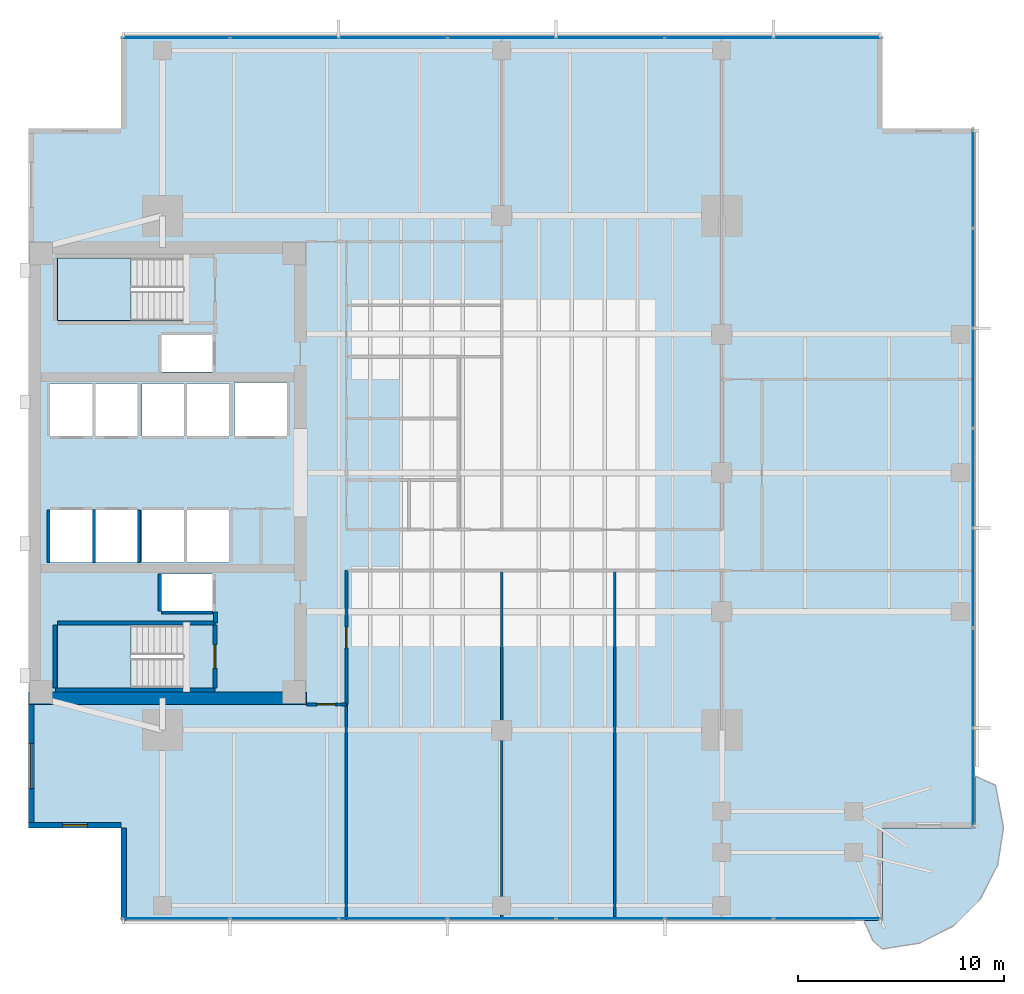
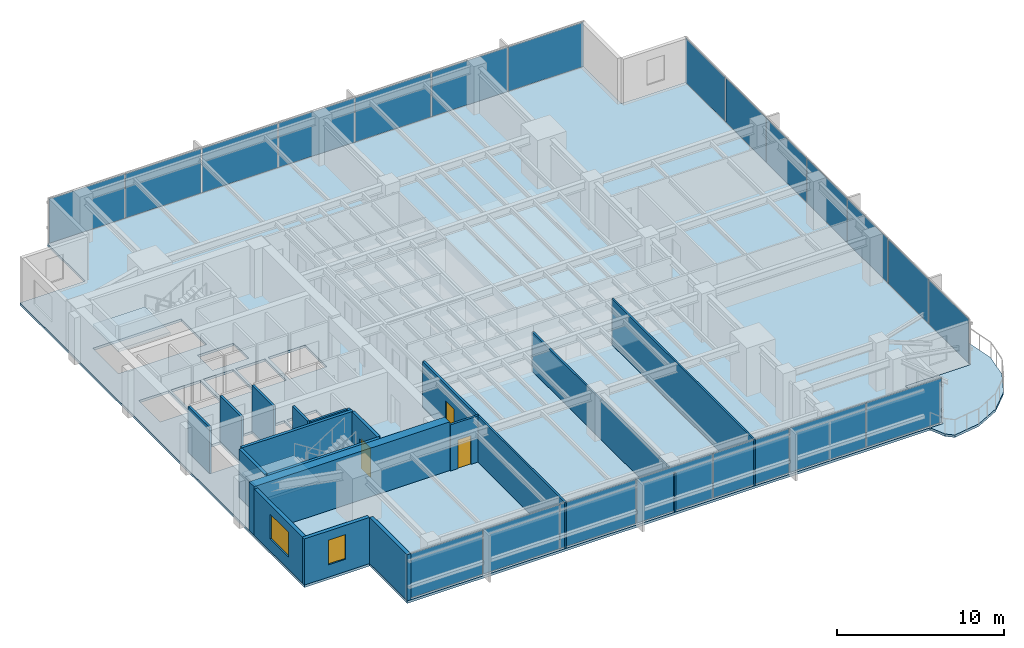
# One storey, part 7 of 15: 21 plates, 19 walls, 4 slabs, 3 doors, 2 windows, 5 openings, 5 elements without a shape of their own.
"""IFC4 building model written with IfcOpenShell, lengths in metres."""

from ifc_helpers import new_model, si_unit, direction, frame, frame_2d, origin, origin_2d, place, context, subcontext, project, spatial, polyline, rectangle, outline, extrude, material, layer, layer_set, type_object, element, fill, aggregate, save


model = new_model("IFC4")

# Units and contexts
model_context = context("Model", 3, precision=1e-05, world=origin(), true_north=direction((0.0, 1.0)))
body_context = subcontext(model_context, "Body", "Model", "MODEL_VIEW")
ifc_project = project(units=[si_unit("LENGTHUNIT", "METRE"), si_unit("AREAUNIT", "SQUARE_METRE"), si_unit("VOLUMEUNIT", "CUBIC_METRE"), si_unit("PLANEANGLEUNIT", "RADIAN"), si_unit("MASSUNIT", "GRAM", prefix="KILO")], contexts=[model_context])

# Site, building, storey
site_placement = place(None, origin())
site = spatial("IfcSite", under=ifc_project, at=site_placement, CompositionType="ELEMENT")
building_placement = place(site_placement, origin())
building = spatial("IfcBuilding", under=site, at=building_placement, Name="Kinhvarn Gate Tower", CompositionType="ELEMENT")
storey_placement = place(building_placement, frame((0.0, 0.0, 112.89990234375)))
storey = spatial("IfcBuildingStorey", under=building, at=storey_placement, Name="L29", CompositionType="ELEMENT", Elevation=112.89990234375)

# Curtain wall, plates
ifc_material_1 = material(Name="Anodised aluminium AW-6063", Category="aluminium")
ifc_layer_1 = layer(ifc_material_1, 0.179931640625)
ifc_layer_set_1 = layer_set([ifc_layer_1], Name="Anodised aluminium AW-6063")
curtain_wall_type = type_object("IfcCurtainWallType", Name="CW-SYS-3", PredefinedType="NOTDEFINED", material=ifc_layer_set_1)
curtain_wall_1_placement = place(storey_placement, origin())
curtain_wall_1 = element("IfcCurtainWall", 1, at=curtain_wall_1_placement, inside=storey, type_object=curtain_wall_type, Name="Curtain Wall CW3 (L29)", PredefinedType="NOTDEFINED")
ifc_material_2 = material(Name="Clear low-e double glazing", Category="glass")
ifc_layer_2 = layer(ifc_material_2, 0.031982421875)
ifc_layer_set_2 = layer_set([ifc_layer_2], Name="Clear low-e double glazing")
plate_type = type_object("IfcPlateType", Name="CW-PNL-VIS", PredefinedType="CURTAIN_PANEL", material=ifc_layer_set_2)
plate_1_placement = place(storey_placement, frame((11.6591796875, 3.590087890625, 0.070068359375), z_axis=(0.0, 0.0, 1.0), x_axis=(1.0, 0.0, 0.0)))
plate_1 = element("IfcPlate", 2, at=plate_1_placement, type_object=plate_type, Name="CW3 panel 1.1", PredefinedType="CURTAIN_PANEL", context=body_context, shape_type="SweptSolid", body=[
    extrude(rectangle(XDim=5.188232421875, YDim=0.031982421875, at=origin_2d()), origin(), (0.0, 0.0, 1.0), 3.22998046875),
])
plate_2_placement = place(storey_placement, frame((16.928466796875, 3.590087890625, 0.070068359375), z_axis=(0.0, 0.0, 1.0), x_axis=(1.0, 0.0, 0.0)))
plate_2 = element("IfcPlate", 3, at=plate_2_placement, type_object=plate_type, Name="CW3 panel 2.1", PredefinedType="CURTAIN_PANEL", context=body_context, shape_type="SweptSolid", body=[
    extrude(rectangle(XDim=5.220703125, YDim=0.031982421875, at=origin_2d()), origin(), (0.0, 0.0, 1.0), 3.22998046875),
])
plate_3_placement = place(storey_placement, frame((22.21435546875, 3.590087890625, 0.070068359375), z_axis=(0.0, 0.0, 1.0), x_axis=(1.0, 0.0, 0.0)))
plate_3 = element("IfcPlate", 4, at=plate_3_placement, type_object=plate_type, Name="CW3 panel 3.1", PredefinedType="CURTAIN_PANEL", context=body_context, shape_type="SweptSolid", body=[
    extrude(rectangle(XDim=5.220703125, YDim=0.031982421875, at=origin_2d()), origin(), (0.0, 0.0, 1.0), 3.22998046875),
])
plate_4_placement = place(storey_placement, frame((27.5, 3.590087890625, 0.070068359375), z_axis=(0.0, 0.0, 1.0), x_axis=(1.0, 0.0, 0.0)))
plate_4 = element("IfcPlate", 5, at=plate_4_placement, type_object=plate_type, Name="CW3 panel 4.1", PredefinedType="CURTAIN_PANEL", context=body_context, shape_type="SweptSolid", body=[
    extrude(rectangle(XDim=5.220703125, YDim=0.031982421875, at=origin_2d()), origin(), (0.0, 0.0, 1.0), 3.22998046875),
])
plate_5_placement = place(storey_placement, frame((32.78564453125, 3.590087890625, 0.070068359375), z_axis=(0.0, 0.0, 1.0), x_axis=(1.0, 0.0, 0.0)))
plate_5 = element("IfcPlate", 6, at=plate_5_placement, type_object=plate_type, Name="CW3 panel 5.1", PredefinedType="CURTAIN_PANEL", context=body_context, shape_type="SweptSolid", body=[
    extrude(rectangle(XDim=5.220703125, YDim=0.031982421875, at=origin_2d()), origin(), (0.0, 0.0, 1.0), 3.22998046875),
])
plate_6_placement = place(storey_placement, frame((38.071533203125, 3.590087890625, 0.070068359375), z_axis=(0.0, 0.0, 1.0), x_axis=(1.0, 0.0, 0.0)))
plate_6 = element("IfcPlate", 7, at=plate_6_placement, type_object=plate_type, Name="CW3 panel 6.1", PredefinedType="CURTAIN_PANEL", context=body_context, shape_type="SweptSolid", body=[
    extrude(rectangle(XDim=5.220703125, YDim=0.031982421875, at=origin_2d()), origin(), (0.0, 0.0, 1.0), 3.22998046875),
])
plate_7_placement = place(storey_placement, frame((43.3408203125, 3.590087890625, 0.070068359375), z_axis=(0.0, 0.0, 1.0), x_axis=(1.0, 0.0, 0.0)))
plate_7 = element("IfcPlate", 8, at=plate_7_placement, type_object=plate_type, Name="CW3 panel 7.1", PredefinedType="CURTAIN_PANEL", context=body_context, shape_type="SweptSolid", body=[
    extrude(rectangle(XDim=5.188232421875, YDim=0.031982421875, at=origin_2d()), origin(), (0.0, 0.0, 1.0), 3.22998046875),
])
aggregate(curtain_wall_1, [plate_1, plate_2, plate_3, plate_4, plate_5, plate_6, plate_7])

curtain_wall_2_placement = place(storey_placement, origin())
curtain_wall_2 = element("IfcCurtainWall", 9, at=curtain_wall_2_placement, inside=storey, type_object=curtain_wall_type, Name="Curtain Wall CW3 (L29)", PredefinedType="NOTDEFINED")
plate_8_placement = place(storey_placement, frame((43.3408203125, 46.409912109375, 0.070068359375), z_axis=(0.0, 0.0, 1.0), x_axis=(-1.0, 0.0, 0.0)))
plate_8 = element("IfcPlate", 10, at=plate_8_placement, type_object=plate_type, Name="CW3 panel 1.1", PredefinedType="CURTAIN_PANEL", context=body_context, shape_type="SweptSolid", body=[
    extrude(rectangle(XDim=5.188232421875, YDim=0.031982421875, at=origin_2d()), origin(), (0.0, 0.0, 1.0), 3.22998046875),
])
plate_9_placement = place(storey_placement, frame((38.071533203125, 46.409912109375, 0.070068359375), z_axis=(0.0, 0.0, 1.0), x_axis=(-1.0, 0.0, 0.0)))
plate_9 = element("IfcPlate", 11, at=plate_9_placement, type_object=plate_type, Name="CW3 panel 2.1", PredefinedType="CURTAIN_PANEL", context=body_context, shape_type="SweptSolid", body=[
    extrude(rectangle(XDim=5.220703125, YDim=0.031982421875, at=origin_2d()), origin(), (0.0, 0.0, 1.0), 3.22998046875),
])
plate_10_placement = place(storey_placement, frame((32.78564453125, 46.409912109375, 0.070068359375), z_axis=(0.0, 0.0, 1.0), x_axis=(-1.0, 0.0, 0.0)))
plate_10 = element("IfcPlate", 12, at=plate_10_placement, type_object=plate_type, Name="CW3 panel 3.1", PredefinedType="CURTAIN_PANEL", context=body_context, shape_type="SweptSolid", body=[
    extrude(rectangle(XDim=5.220703125, YDim=0.031982421875, at=origin_2d()), origin(), (0.0, 0.0, 1.0), 3.22998046875),
])
plate_11_placement = place(storey_placement, frame((27.5, 46.409912109375, 0.070068359375), z_axis=(0.0, 0.0, 1.0), x_axis=(-1.0, 0.0, 0.0)))
plate_11 = element("IfcPlate", 13, at=plate_11_placement, type_object=plate_type, Name="CW3 panel 4.1", PredefinedType="CURTAIN_PANEL", context=body_context, shape_type="SweptSolid", body=[
    extrude(rectangle(XDim=5.220703125, YDim=0.031982421875, at=origin_2d()), origin(), (0.0, 0.0, 1.0), 3.22998046875),
])
plate_12_placement = place(storey_placement, frame((22.21435546875, 46.409912109375, 0.070068359375), z_axis=(0.0, 0.0, 1.0), x_axis=(-1.0, 0.0, 0.0)))
plate_12 = element("IfcPlate", 14, at=plate_12_placement, type_object=plate_type, Name="CW3 panel 5.1", PredefinedType="CURTAIN_PANEL", context=body_context, shape_type="SweptSolid", body=[
    extrude(rectangle(XDim=5.220703125, YDim=0.031982421875, at=origin_2d()), origin(), (0.0, 0.0, 1.0), 3.22998046875),
])
plate_13_placement = place(storey_placement, frame((16.928466796875, 46.409912109375, 0.070068359375), z_axis=(0.0, 0.0, 1.0), x_axis=(-1.0, 0.0, 0.0)))
plate_13 = element("IfcPlate", 15, at=plate_13_placement, type_object=plate_type, Name="CW3 panel 6.1", PredefinedType="CURTAIN_PANEL", context=body_context, shape_type="SweptSolid", body=[
    extrude(rectangle(XDim=5.220703125, YDim=0.031982421875, at=origin_2d()), origin(), (0.0, 0.0, 1.0), 3.22998046875),
])
plate_14_placement = place(storey_placement, frame((11.6591796875, 46.409912109375, 0.070068359375), z_axis=(0.0, 0.0, 1.0), x_axis=(-1.0, 0.0, 0.0)))
plate_14 = element("IfcPlate", 16, at=plate_14_placement, type_object=plate_type, Name="CW3 panel 7.1", PredefinedType="CURTAIN_PANEL", context=body_context, shape_type="SweptSolid", body=[
    extrude(rectangle(XDim=5.188232421875, YDim=0.031982421875, at=origin_2d()), origin(), (0.0, 0.0, 1.0), 3.22998046875),
])
aggregate(curtain_wall_2, [plate_8, plate_9, plate_10, plate_11, plate_12, plate_13, plate_14])

curtain_wall_3_placement = place(storey_placement, origin())
curtain_wall_3 = element("IfcCurtainWall", 17, at=curtain_wall_3_placement, inside=storey, type_object=curtain_wall_type, Name="Curtain Wall CW3 (L29)", PredefinedType="NOTDEFINED")
plate_15_placement = place(storey_placement, frame((50.409912109375, 10.44482421875, 0.070068359375), z_axis=(0.0, 0.0, 1.0), x_axis=(0.0, 1.0, 0.0)))
plate_15 = element("IfcPlate", 18, at=plate_15_placement, type_object=plate_type, Name="CW3 panel 1.1", PredefinedType="CURTAIN_PANEL", context=body_context, shape_type="SweptSolid", body=[
    extrude(rectangle(XDim=4.759521484375, YDim=0.031982421875, at=origin_2d()), origin(), (0.0, 0.0, 1.0), 3.22998046875),
])
plate_16_placement = place(storey_placement, frame((50.409912109375, 15.28564453125, 0.070068359375), z_axis=(0.0, 0.0, 1.0), x_axis=(0.0, 1.0, 0.0)))
plate_16 = element("IfcPlate", 19, at=plate_16_placement, type_object=plate_type, Name="CW3 panel 2.1", PredefinedType="CURTAIN_PANEL", context=body_context, shape_type="SweptSolid", body=[
    extrude(rectangle(XDim=4.792236328125, YDim=0.031982421875, at=origin_2d()), origin(), (0.0, 0.0, 1.0), 3.22998046875),
])
plate_17_placement = place(storey_placement, frame((50.409912109375, 20.142822265625, 0.070068359375), z_axis=(0.0, 0.0, 1.0), x_axis=(0.0, 1.0, 0.0)))
plate_17 = element("IfcPlate", 20, at=plate_17_placement, type_object=plate_type, Name="CW3 panel 3.1", PredefinedType="CURTAIN_PANEL", context=body_context, shape_type="SweptSolid", body=[
    extrude(rectangle(XDim=4.792236328125, YDim=0.031982421875, at=origin_2d()), origin(), (0.0, 0.0, 1.0), 3.22998046875),
])
plate_18_placement = place(storey_placement, frame((50.409912109375, 25.0, 0.070068359375), z_axis=(0.0, 0.0, 1.0), x_axis=(0.0, 1.0, 0.0)))
plate_18 = element("IfcPlate", 21, at=plate_18_placement, type_object=plate_type, Name="CW3 panel 4.1", PredefinedType="CURTAIN_PANEL", context=body_context, shape_type="SweptSolid", body=[
    extrude(rectangle(XDim=4.792236328125, YDim=0.031982421875, at=origin_2d()), origin(), (0.0, 0.0, 1.0), 3.22998046875),
])
plate_19_placement = place(storey_placement, frame((50.409912109375, 29.857177734375, 0.070068359375), z_axis=(0.0, 0.0, 1.0), x_axis=(0.0, 1.0, 0.0)))
plate_19 = element("IfcPlate", 22, at=plate_19_placement, type_object=plate_type, Name="CW3 panel 5.1", PredefinedType="CURTAIN_PANEL", context=body_context, shape_type="SweptSolid", body=[
    extrude(rectangle(XDim=4.792236328125, YDim=0.031982421875, at=origin_2d()), origin(), (0.0, 0.0, 1.0), 3.22998046875),
])
plate_20_placement = place(storey_placement, frame((50.409912109375, 34.71435546875, 0.070068359375), z_axis=(0.0, 0.0, 1.0), x_axis=(0.0, 1.0, 0.0)))
plate_20 = element("IfcPlate", 23, at=plate_20_placement, type_object=plate_type, Name="CW3 panel 6.1", PredefinedType="CURTAIN_PANEL", context=body_context, shape_type="SweptSolid", body=[
    extrude(rectangle(XDim=4.792236328125, YDim=0.031982421875, at=origin_2d()), origin(), (0.0, 0.0, 1.0), 3.22998046875),
])
plate_21_placement = place(storey_placement, frame((50.409912109375, 39.55517578125, 0.070068359375), z_axis=(0.0, 0.0, 1.0), x_axis=(0.0, 1.0, 0.0)))
plate_21 = element("IfcPlate", 24, at=plate_21_placement, type_object=plate_type, Name="CW3 panel 7.1", PredefinedType="CURTAIN_PANEL", context=body_context, shape_type="SweptSolid", body=[
    extrude(rectangle(XDim=4.759521484375, YDim=0.031982421875, at=origin_2d()), origin(), (0.0, 0.0, 1.0), 3.22998046875),
])
aggregate(curtain_wall_3, [plate_15, plate_16, plate_17, plate_18, plate_19, plate_20, plate_21])

# Slabs
ifc_material_3 = material(Name="Precast white architectural concrete C40/50", Category="concrete")
ifc_layer_3 = layer(ifc_material_3, 0.179931640625)
ifc_layer_set_3 = layer_set([ifc_layer_3], Name="Precast white architectural concrete C40/50")
slab_type_1 = type_object("IfcSlabType", Name="SLB-BAL-180", PredefinedType="FLOOR", material=ifc_layer_set_3)
slab_1_placement = place(storey_placement, frame((0.0, 0.0, -0.179931640625)))
element("IfcSlab", 25, at=slab_1_placement, inside=storey, type_object=slab_type_1, Name="S-Carve Curved Terrace Balcony Slab L29 (SE)", PredefinedType="FLOOR", context=body_context, shape_type="SweptSolid", body=[
    extrude(outline(polyline([(45.09912109375, 3.5), (45.549072265625, 2.497802734375), (46.0, 2.10791015625), (47.82080078125, 2.396484375), (49.463134765625, 3.2333984375), (50.7666015625, 4.536865234375), (51.603515625, 6.17919921875), (51.89208984375, 8.0), (51.502197265625, 10.069091796875), (50.5, 10.51904296875), (50.5, 8.0), (46.0, 8.0), (46.0, 3.5), (45.09912109375, 3.5)])), origin(), (0.0, 0.0, 1.0), 0.179931640625),
])
ifc_material_4 = material(Name="Concrete C40/50", Category="concrete")
ifc_layer_4 = layer(ifc_material_4, 0.179931640625)
ifc_layer_set_4 = layer_set([ifc_layer_4], Name="Concrete C40/50")
slab_type_2 = type_object("IfcSlabType", Name="SLB-FLR-180", PredefinedType="FLOOR", material=ifc_layer_set_4)
slab_2_placement = place(storey_placement, frame((0.0, 0.0, -0.179931640625)))
element("IfcSlab", 26, at=slab_2_placement, inside=storey, type_object=slab_type_2, Name="Suspended Floor Slab L29", PredefinedType="FLOOR", context=body_context, shape_type="SweptSolid", body=[
    extrude(outline(polyline([(9.0, 3.5), (46.0, 3.5), (46.0, 8.0), (50.5, 8.0), (50.5, 42.0), (46.0, 42.0), (46.0, 46.5), (9.0, 46.5), (9.0, 42.0), (4.5, 42.0), (4.5, 8.0), (9.0, 8.0), (9.0, 3.5)]), holes=[polyline([(5.89990234375, 14.800048828125), (12.0, 14.800048828125), (12.0, 17.85009765625), (5.89990234375, 17.85009765625), (5.89990234375, 14.800048828125)]), polyline([(5.89990234375, 32.64990234375), (12.0, 32.64990234375), (12.0, 35.699951171875), (5.89990234375, 35.699951171875), (5.89990234375, 32.64990234375)]), polyline([(5.550048828125, 20.89990234375), (7.60009765625, 20.89990234375), (7.60009765625, 23.449951171875), (5.550048828125, 23.449951171875), (5.550048828125, 20.89990234375)]), polyline([(7.75, 20.89990234375), (9.800048828125, 20.89990234375), (9.800048828125, 23.449951171875), (7.75, 23.449951171875), (7.75, 20.89990234375)]), polyline([(5.550048828125, 27.050048828125), (7.60009765625, 27.050048828125), (7.60009765625, 29.60009765625), (5.550048828125, 29.60009765625), (5.550048828125, 27.050048828125)]), polyline([(7.75, 27.050048828125), (9.800048828125, 27.050048828125), (9.800048828125, 29.60009765625), (7.75, 29.60009765625), (7.75, 27.050048828125)]), polyline([(10.0, 20.89990234375), (12.050048828125, 20.89990234375), (12.050048828125, 23.449951171875), (10.0, 23.449951171875), (10.0, 20.89990234375)]), polyline([(12.199951171875, 20.89990234375), (14.25, 20.89990234375), (14.25, 23.449951171875), (12.199951171875, 23.449951171875), (12.199951171875, 20.89990234375)]), polyline([(10.0, 27.050048828125), (12.050048828125, 27.050048828125), (12.050048828125, 29.60009765625), (10.0, 29.60009765625), (10.0, 27.050048828125)]), polyline([(12.199951171875, 27.050048828125), (14.25, 27.050048828125), (14.25, 29.60009765625), (12.199951171875, 29.60009765625), (12.199951171875, 27.050048828125)]), polyline([(14.5, 27.050048828125), (17.050048828125, 27.050048828125), (17.050048828125, 29.64990234375), (14.5, 29.64990234375), (14.5, 27.050048828125)]), polyline([(10.949951171875, 18.550048828125), (13.449951171875, 18.550048828125), (13.449951171875, 20.35009765625), (10.949951171875, 20.35009765625), (10.949951171875, 18.550048828125)]), polyline([(10.949951171875, 30.14990234375), (13.449951171875, 30.14990234375), (13.449951171875, 31.949951171875), (10.949951171875, 31.949951171875), (10.949951171875, 30.14990234375)])]), origin(), (0.0, 0.0, 1.0), 0.179931640625),
])

# Stair, slab
stair_type = type_object("IfcStairType", Name="STR-DLG-177", PredefinedType="HALF_TURN_STAIR", material=ifc_material_4)
stair_1_placement = place(storey_placement, origin())
stair_1 = element("IfcStair", 27, at=stair_1_placement, inside=storey, type_object=stair_type, Name="L29 Core Smokeproof Exit Stair ST1", PredefinedType="HALF_TURN_STAIR")
ifc_layer_5 = layer(ifc_material_4, 0.199951171875)
ifc_layer_set_5 = layer_set([ifc_layer_5], Name="Concrete C40/50")
slab_type_3 = type_object("IfcSlabType", Name="SLB-ST-LND", PredefinedType="LANDING", material=ifc_layer_set_5)
slab_3_placement = place(storey_placement, frame((0.0, 0.0, 1.5751953125)))
slab_3 = element("IfcSlab", 28, at=slab_3_placement, type_object=slab_type_3, Name="ST1 landing 1", PredefinedType="LANDING", context=body_context, shape_type="SweptSolid", body=[
    extrude(outline(polyline([(9.47998046875, 17.85009765625), (5.89990234375, 17.85009765625), (5.89990234375, 14.800048828125), (9.47998046875, 14.800048828125), (9.47998046875, 17.85009765625)])), origin(), (0.0, 0.0, 1.0), 0.199951171875),
])
aggregate(stair_1, [slab_3])

stair_2_placement = place(storey_placement, origin())
stair_2 = element("IfcStair", 29, at=stair_2_placement, inside=storey, type_object=stair_type, Name="L29 Core Smokeproof Exit Stair ST2", PredefinedType="HALF_TURN_STAIR")
slab_4_placement = place(storey_placement, frame((0.0, 0.0, 1.5751953125)))
slab_4 = element("IfcSlab", 30, at=slab_4_placement, type_object=slab_type_3, Name="ST2 landing 1", PredefinedType="LANDING", context=body_context, shape_type="SweptSolid", body=[
    extrude(outline(polyline([(9.47998046875, 35.699951171875), (5.89990234375, 35.699951171875), (5.89990234375, 32.64990234375), (9.47998046875, 32.64990234375), (9.47998046875, 35.699951171875)])), origin(), (0.0, 0.0, 1.0), 0.199951171875),
])
aggregate(stair_2, [slab_4])

# Wall
ifc_material_5 = material(Name="Concrete C60/75", Category="concrete")
ifc_layer_6 = layer(ifc_material_5, 0.60009765625)
ifc_layer_set_6 = layer_set([ifc_layer_6], Name="Concrete C60/75")
wall_type_1 = type_object("IfcWallType", Name="WL-CORE-600", PredefinedType="SHEAR", material=ifc_layer_set_6)
wall_1_placement = place(storey_placement, frame((4.5, 14.300048828125, 0.0), z_axis=(0.0, 0.0, 1.0), x_axis=(1.0, 0.0, 0.0)))
element("IfcWall", 31, at=wall_1_placement, inside=storey, type_object=wall_type_1, Name="Core South Shear Wall L29 600 mm", PredefinedType="SHEAR", context=body_context, shape_type="SweptSolid", body=[
    extrude(rectangle(XDim=13.5, YDim=0.60009765625, at=frame_2d((6.75, 0.0))), origin(), (0.0, 0.0, 1.0), 3.550048828125),
])

# Wall, opening, window
ifc_material_6 = material(Name="Fired architectural terracotta", Category="masonry")
ifc_layer_7 = layer(ifc_material_6, 0.25)
ifc_layer_set_7 = layer_set([ifc_layer_7], Name="Fired architectural terracotta")
wall_type_2 = type_object("IfcWallType", Name="WL-EXT-250", PredefinedType="SOLIDWALL", material=ifc_layer_set_7)
wall_2_placement = place(storey_placement, frame((4.625, 14.0, 0.0), z_axis=(0.0, 0.0, 1.0), x_axis=(0.0, -1.0, 0.0)))
wall_2 = element("IfcWall", 32, at=wall_2_placement, inside=storey, type_object=wall_type_2, Name="Exterior Solidwall Wall EW-250 (L29 West-South)", PredefinedType="SOLIDWALL", context=body_context, shape_type="SweptSolid", body=[
    extrude(rectangle(XDim=6.0, YDim=0.25, at=frame_2d((3.0, 0.0))), origin(), (0.0, 0.0, 1.0), 3.3701171875),
])
opening_1_placement = place(wall_2_placement, frame((1.89990234375, 0.0, 0.89990234375)))
opening_1 = element("IfcOpeningElement", 33, at=opening_1_placement, cuts=wall_2, Name="Opening WN-01", PredefinedType="OPENING", context=body_context, shape_type="SweptSolid", body=[
    extrude(rectangle(XDim=2.199951171875, YDim=1.800048828125, at=frame_2d((1.10009765625, 0.89990234375))), frame((0.0, 0.135009765625, 0.0), z_axis=(0.0, -1.0, 0.0), x_axis=(1.0, 0.0, 0.0)), (0.0, 0.0, 1.0), 0.27001953125),
])
window_type_1 = type_object("IfcWindowType", Name="WIN-RIB-2200", PartitioningType="SINGLE_PANEL", PredefinedType="WINDOW", material=ifc_material_2)
window_1_placement = place(opening_1_placement, origin())
window_1 = element("IfcWindow", 34, at=window_1_placement, inside=storey, type_object=window_type_1, Name="West Flank Double-Glazed Ribbon Window 2200x1800 mm (L29)", OverallHeight=1.800048828125, OverallWidth=2.199951171875, PartitioningType="SINGLE_PANEL", PredefinedType="WINDOW", context=body_context, shape_type="SweptSolid", body=[
    extrude(rectangle(XDim=2.199951171875, YDim=1.800048828125, at=frame_2d((1.10009765625, 0.89990234375))), frame((0.0, 0.030029296875, 0.0), z_axis=(0.0, -1.0, 0.0), x_axis=(1.0, 0.0, 0.0)), (0.0, 0.0, 1.0), 0.06005859375),
])
fill(opening_1, window_1)

wall_3_placement = place(storey_placement, frame((4.5, 8.125, 0.0), z_axis=(0.0, 0.0, 1.0), x_axis=(1.0, 0.0, 0.0)))
wall_3 = element("IfcWall", 35, at=wall_3_placement, inside=storey, type_object=wall_type_2, Name="Exterior Solidwall Wall EW-250 (L29 SW-Notch-1)", PredefinedType="SOLIDWALL", context=body_context, shape_type="SweptSolid", body=[
    extrude(rectangle(XDim=4.5, YDim=0.25, at=frame_2d((2.25, 0.0))), origin(), (0.0, 0.0, 1.0), 3.3701171875),
])
opening_2_placement = place(wall_3_placement, frame((1.64990234375, 0.0, 0.89990234375)))
opening_2 = element("IfcOpeningElement", 36, at=opening_2_placement, cuts=wall_3, Name="Opening WN-02", PredefinedType="OPENING", context=body_context, shape_type="SweptSolid", body=[
    extrude(rectangle(XDim=1.199951171875, YDim=1.800048828125, at=frame_2d((0.60009765625, 0.89990234375))), frame((0.0, 0.135009765625, 0.0), z_axis=(0.0, -1.0, 0.0), x_axis=(1.0, 0.0, 0.0)), (0.0, 0.0, 1.0), 0.27001953125),
])
window_type_2 = type_object("IfcWindowType", Name="WIN-NTC-1200", PartitioningType="SINGLE_PANEL", PredefinedType="WINDOW", material=ifc_material_2)
window_2_placement = place(opening_2_placement, origin())
window_2 = element("IfcWindow", 37, at=window_2_placement, inside=storey, type_object=window_type_2, Name="Recessed Corner Notch Punched Window 1200x1800 mm (L29)", OverallHeight=1.800048828125, OverallWidth=1.199951171875, PartitioningType="SINGLE_PANEL", PredefinedType="WINDOW", context=body_context, shape_type="SweptSolid", body=[
    extrude(rectangle(XDim=1.199951171875, YDim=1.800048828125, at=frame_2d((0.60009765625, 0.89990234375))), frame((0.0, 0.030029296875, 0.0), z_axis=(0.0, -1.0, 0.0), x_axis=(1.0, 0.0, 0.0)), (0.0, 0.0, 1.0), 0.06005859375),
])
fill(opening_2, window_2)

# Walls
wall_4_placement = place(storey_placement, frame((9.125, 8.0, 0.0), z_axis=(0.0, 0.0, 1.0), x_axis=(0.0, -1.0, 0.0)))
element("IfcWall", 38, at=wall_4_placement, inside=storey, type_object=wall_type_2, Name="Exterior Solidwall Wall EW-250 (L29 SW-Notch-2)", PredefinedType="SOLIDWALL", context=body_context, shape_type="SweptSolid", body=[
    extrude(rectangle(XDim=4.5, YDim=0.25, at=frame_2d((2.25, 0.0))), origin(), (0.0, 0.0, 1.0), 3.3701171875),
])
ifc_material_7 = material(Name="Gypsum acoustic partition board")
ifc_layer_8 = layer(ifc_material_7, 0.1201171875)
ifc_layer_set_8 = layer_set([ifc_layer_8], Name="Gypsum acoustic partition board")
wall_type_3 = type_object("IfcWallType", Name="WL-PRT-120", PredefinedType="PARTITIONING", material=ifc_layer_set_8)
wall_5_placement = place(storey_placement, frame((19.949951171875, 3.510009765625, 0.0), z_axis=(0.0, 0.0, 1.0), x_axis=(0.0, 1.0, 0.0)))
element("IfcWall", 39, at=wall_5_placement, inside=storey, type_object=wall_type_3, Name="Interior Partition PW-120 (L29)", PredefinedType="PARTITIONING", context=body_context, shape_type="SweptSolid", body=[
    extrude(rectangle(XDim=10.489990234375, YDim=0.1201171875, at=frame_2d((5.2451171875, 0.0))), origin(), (0.0, 0.0, 1.0), 3.3701171875),
])
wall_6_placement = place(storey_placement, frame((27.5, 3.510009765625, 0.0), z_axis=(0.0, 0.0, 1.0), x_axis=(0.0, 1.0, 0.0)))
element("IfcWall", 40, at=wall_6_placement, inside=storey, type_object=wall_type_3, Name="Interior Partition PW-120 (L29)", PredefinedType="PARTITIONING", context=body_context, shape_type="SweptSolid", body=[
    extrude(rectangle(XDim=16.989990234375, YDim=0.1201171875, at=frame_2d((8.4951171875, 0.0))), origin(), (0.0, 0.0, 1.0), 2.8701171875),
])
wall_7_placement = place(storey_placement, frame((33.0, 3.510009765625, 0.0), z_axis=(0.0, 0.0, 1.0), x_axis=(0.0, 1.0, 0.0)))
element("IfcWall", 41, at=wall_7_placement, inside=storey, type_object=wall_type_3, Name="Interior Partition PW-120 (L29)", PredefinedType="PARTITIONING", context=body_context, shape_type="SweptSolid", body=[
    extrude(rectangle(XDim=16.989990234375, YDim=0.1201171875, at=frame_2d((8.4951171875, 0.0))), origin(), (0.0, 0.0, 1.0), 3.3701171875),
])

# Wall, opening, door
ifc_layer_9 = layer(ifc_material_7, 0.14990234375)
ifc_layer_set_9 = layer_set([ifc_layer_9], Name="Gypsum acoustic partition board")
wall_type_4 = type_object("IfcWallType", Name="WL-PRT-150F", PredefinedType="PARTITIONING", material=ifc_layer_set_9)
wall_8_placement = place(storey_placement, frame((18.0, 14.0, 0.0), z_axis=(0.0, 0.0, 1.0), x_axis=(1.0, 0.0, 0.0)))
wall_8 = element("IfcWall", 42, at=wall_8_placement, inside=storey, type_object=wall_type_4, Name="Interior Partition PW-150F (L29)", PredefinedType="PARTITIONING", context=body_context, shape_type="SweptSolid", body=[
    extrude(rectangle(XDim=1.949951171875, YDim=0.14990234375, at=frame_2d((0.97509765625, 0.0))), origin(), (0.0, 0.0, 1.0), 3.3701171875),
])
opening_3_placement = place(wall_8_placement, frame((0.52490234375, 0.0, 0.0)))
opening_3 = element("IfcOpeningElement", 43, at=opening_3_placement, cuts=wall_8, Name="Opening ID-03", PredefinedType="OPENING", context=body_context, shape_type="SweptSolid", body=[
    extrude(rectangle(XDim=0.89990234375, YDim=2.10009765625, at=frame_2d((0.449951171875, 1.050048828125))), frame((0.0, 0.0849609375, 0.0), z_axis=(0.0, -1.0, 0.0), x_axis=(1.0, 0.0, 0.0)), (0.0, 0.0, 1.0), 0.169921875),
])
door_type_1 = type_object("IfcDoorType", Name="DR-INT-900", OperationType="NOTDEFINED", PredefinedType="DOOR", material=ifc_material_1)
door_1_placement = place(opening_3_placement, origin())
door_1 = element("IfcDoor", 44, at=door_1_placement, inside=storey, type_object=door_type_1, Name="Cellular Office & Restroom Door 900x2100 mm (L29)", OperationType="SINGLE_SWING_LEFT", OverallHeight=2.10009765625, OverallWidth=0.89990234375, PredefinedType="DOOR", context=body_context, shape_type="SweptSolid", body=[
    extrude(rectangle(XDim=0.89990234375, YDim=2.10009765625, at=frame_2d((0.449951171875, 1.050048828125))), frame((0.0, 0.02490234375, 0.0), z_axis=(0.0, -1.0, 0.0), x_axis=(1.0, 0.0, 0.0)), (0.0, 0.0, 1.0), 0.050048828125),
])
fill(opening_3, door_1)

wall_9_placement = place(storey_placement, frame((19.949951171875, 14.0, 0.0), z_axis=(0.0, 0.0, 1.0), x_axis=(0.0, 1.0, 0.0)))
wall_9 = element("IfcWall", 45, at=wall_9_placement, inside=storey, type_object=wall_type_4, Name="Interior Partition PW-150F (L29)", PredefinedType="PARTITIONING", context=body_context, shape_type="SweptSolid", body=[
    extrude(rectangle(XDim=6.5, YDim=0.14990234375, at=frame_2d((3.25, 0.0))), origin(), (0.0, 0.0, 1.0), 3.3701171875),
])
opening_4_placement = place(wall_9_placement, frame((2.75, 0.0, 0.0)))
opening_4 = element("IfcOpeningElement", 46, at=opening_4_placement, cuts=wall_9, Name="Opening ID-02", PredefinedType="OPENING", context=body_context, shape_type="SweptSolid", body=[
    extrude(rectangle(XDim=1.0, YDim=2.14990234375, at=frame_2d((0.5, 1.074951171875))), frame((0.0, 0.0849609375, 0.0), z_axis=(0.0, -1.0, 0.0), x_axis=(1.0, 0.0, 0.0)), (0.0, 0.0, 1.0), 0.169921875),
])
door_type_2 = type_object("IfcDoorType", Name="DR-INT-1000", OperationType="NOTDEFINED", PredefinedType="DOOR", material=ifc_material_1)
door_2_placement = place(opening_4_placement, origin())
door_2 = element("IfcDoor", 47, at=door_2_placement, inside=storey, type_object=door_type_2, Name="Standard Office & Meeting Room Door 1000x2150 mm (L29)", OperationType="SINGLE_SWING_RIGHT", OverallHeight=2.14990234375, OverallWidth=1.0, PredefinedType="DOOR", context=body_context, shape_type="SweptSolid", body=[
    extrude(rectangle(XDim=1.0, YDim=2.14990234375, at=frame_2d((0.5, 1.074951171875))), frame((0.0, 0.02490234375, 0.0), z_axis=(0.0, -1.0, 0.0), x_axis=(1.0, 0.0, 0.0)), (0.0, 0.0, 1.0), 0.050048828125),
])
fill(opening_4, door_2)

# Walls
ifc_layer_10 = layer(ifc_material_7, 0.199951171875)
ifc_layer_set_10 = layer_set([ifc_layer_10], Name="Gypsum acoustic partition board")
wall_type_5 = type_object("IfcWallType", Name="WL-PRT-200", PredefinedType="PARTITIONING", material=ifc_layer_set_10)
wall_10_placement = place(storey_placement, frame((13.580078125, 17.9599609375, 0.0), z_axis=(0.0, 0.0, 1.0), x_axis=(0.0, 1.0, 0.0)))
element("IfcWall", 48, at=wall_10_placement, inside=storey, type_object=wall_type_5, Name="Interior Partition PW-200 (L29)", PredefinedType="PARTITIONING", context=body_context, shape_type="SweptSolid", body=[
    extrude(rectangle(XDim=0.5400390625, YDim=0.199951171875, at=frame_2d((0.27001953125, 0.0))), origin(), (0.0, 0.0, 1.0), 3.3701171875),
])
ifc_layer_11 = layer(ifc_material_7, 0.14990234375)
ifc_layer_set_11 = layer_set([ifc_layer_11], Name="Gypsum acoustic partition board")
wall_type_6 = type_object("IfcWallType", Name="WL-SHF-150", PredefinedType="PARTITIONING", material=ifc_layer_set_11)
for number, where, z_axis, x_axis, name in (
    (49, (5.47509765625, 20.89990234375, 0.0), (0.0, 0.0, 1.0), (0.0, 1.0, 0.0), "Elevator PM-05 Hoistway Wall W (L29)"),
    (50, (7.675048828125, 20.89990234375, 0.0), (0.0, 0.0, 1.0), (0.0, 1.0, 0.0), "Elevator PM-05 Hoistway Wall E (L29)"),
    (51, (9.875, 20.89990234375, 0.0), (0.0, 0.0, 1.0), (0.0, 1.0, 0.0), "Elevator PM-06 Hoistway Wall E (L29)"),
):
    element("IfcWall", number, at=place(storey_placement, frame(where, z_axis=z_axis, x_axis=x_axis)), inside=storey, type_object=wall_type_6, Name=name, PredefinedType="PARTITIONING", context=body_context, shape_type="SweptSolid", body=[
        extrude(rectangle(XDim=2.550048828125, YDim=0.14990234375, at=frame_2d((1.27490234375, 0.0))), origin(), (0.0, 0.0, 1.0), 3.3701171875),
    ])
wall_11_placement = place(storey_placement, frame((10.949951171875, 18.47509765625, 0.0), z_axis=(0.0, 0.0, 1.0), x_axis=(1.0, 0.0, 0.0)))
element("IfcWall", 52, at=wall_11_placement, inside=storey, type_object=wall_type_6, Name="Elevator FF1 Hoistway Wall S (L29)", PredefinedType="PARTITIONING", context=body_context, shape_type="SweptSolid", body=[
    extrude(rectangle(XDim=2.5, YDim=0.14990234375, at=frame_2d((1.25, 0.0))), origin(), (0.0, 0.0, 1.0), 3.3701171875),
])
wall_12_placement = place(storey_placement, frame((10.875, 18.550048828125, 0.0), z_axis=(0.0, 0.0, 1.0), x_axis=(0.0, 1.0, 0.0)))
element("IfcWall", 53, at=wall_12_placement, inside=storey, type_object=wall_type_6, Name="Elevator FF1 Hoistway Wall W (L29)", PredefinedType="PARTITIONING", context=body_context, shape_type="SweptSolid", body=[
    extrude(rectangle(XDim=1.800048828125, YDim=0.14990234375, at=frame_2d((0.89990234375, 0.0))), origin(), (0.0, 0.0, 1.0), 3.3701171875),
])
ifc_layer_12 = layer(ifc_material_4, 0.199951171875)
ifc_layer_set_12 = layer_set([ifc_layer_12], Name="Concrete C40/50")
wall_type_7 = type_object("IfcWallType", Name="WL-SHF-200", PredefinedType="SOLIDWALL", material=ifc_layer_set_12)
wall_13_placement = place(storey_placement, frame((5.800048828125, 14.699951171875, 0.0), z_axis=(0.0, 0.0, 1.0), x_axis=(1.0, 0.0, 0.0)))
element("IfcWall", 54, at=wall_13_placement, inside=storey, type_object=wall_type_7, Name="Stair ST1 South Shaft Wall (L29)", PredefinedType="SOLIDWALL", context=body_context, shape_type="SweptSolid", body=[
    extrude(rectangle(XDim=7.75, YDim=0.199951171875, at=frame_2d((3.875, 0.0))), origin(), (0.0, 0.0, 1.0), 3.550048828125),
])
wall_14_placement = place(storey_placement, frame((5.7900390625, 14.800048828125, 0.0), z_axis=(0.0, 0.0, 1.0), x_axis=(0.0, 1.0, 0.0)))
element("IfcWall", 55, at=wall_14_placement, inside=storey, type_object=wall_type_7, Name="Stair ST1 West Shaft Wall (L29)", PredefinedType="SOLIDWALL", context=body_context, shape_type="SweptSolid", body=[
    extrude(rectangle(XDim=3.050048828125, YDim=0.199951171875, at=frame_2d((1.52490234375, 0.0))), origin(), (0.0, 0.0, 1.0), 3.550048828125),
])
wall_15_placement = place(storey_placement, frame((5.89990234375, 17.9599609375, 0.0), z_axis=(0.0, 0.0, 1.0), x_axis=(1.0, 0.0, 0.0)))
element("IfcWall", 56, at=wall_15_placement, inside=storey, type_object=wall_type_7, Name="Stair ST1 North Shaft Wall (L29)", PredefinedType="SOLIDWALL", context=body_context, shape_type="SweptSolid", body=[
    extrude(rectangle(XDim=7.66015625, YDim=0.199951171875, at=frame_2d((3.830078125, 0.0))), origin(), (0.0, 0.0, 1.0), 3.550048828125),
])

# Wall, opening, door
wall_16_placement = place(storey_placement, frame((13.56005859375, 14.800048828125, 0.0), z_axis=(0.0, 0.0, 1.0), x_axis=(0.0, 1.0, 0.0)))
wall_16 = element("IfcWall", 57, at=wall_16_placement, inside=storey, type_object=wall_type_7, Name="Stair ST1 East Entry Wall (L29)", PredefinedType="SOLIDWALL", context=body_context, shape_type="SweptSolid", body=[
    extrude(rectangle(XDim=3.050048828125, YDim=0.199951171875, at=frame_2d((1.52490234375, 0.0))), origin(), (0.0, 0.0, 1.0), 3.550048828125),
])
opening_5_placement = place(wall_16_placement, frame((0.949951171875, 0.0, 0.0)))
opening_5 = element("IfcOpeningElement", 58, at=opening_5_placement, cuts=wall_16, Name="Opening FD-01", PredefinedType="OPENING", context=body_context, shape_type="SweptSolid", body=[
    extrude(rectangle(XDim=1.14990234375, YDim=2.14990234375, at=frame_2d((0.574951171875, 1.074951171875))), frame((0.0, 0.10986328125, 0.0), z_axis=(0.0, -1.0, 0.0), x_axis=(1.0, 0.0, 0.0)), (0.0, 0.0, 1.0), 0.219970703125),
])
door_type_3 = type_object("IfcDoorType", Name="DR-ST-1150", OperationType="NOTDEFINED", PredefinedType="DOOR", material=ifc_material_1)
door_3_placement = place(opening_5_placement, origin())
door_3 = element("IfcDoor", 59, at=door_3_placement, inside=storey, type_object=door_type_3, Name="Exit Stair ST1 Fire Door (L29)", OperationType="SINGLE_SWING_LEFT", OverallHeight=2.14990234375, OverallWidth=1.14990234375, PredefinedType="DOOR", context=body_context, shape_type="SweptSolid", body=[
    extrude(rectangle(XDim=1.14990234375, YDim=2.14990234375, at=frame_2d((0.574951171875, 1.074951171875))), frame((0.0, 0.02490234375, 0.0), z_axis=(0.0, -1.0, 0.0), x_axis=(1.0, 0.0, 0.0)), (0.0, 0.0, 1.0), 0.050048828125),
])
fill(opening_5, door_3)

save(model, "model.ifc")
